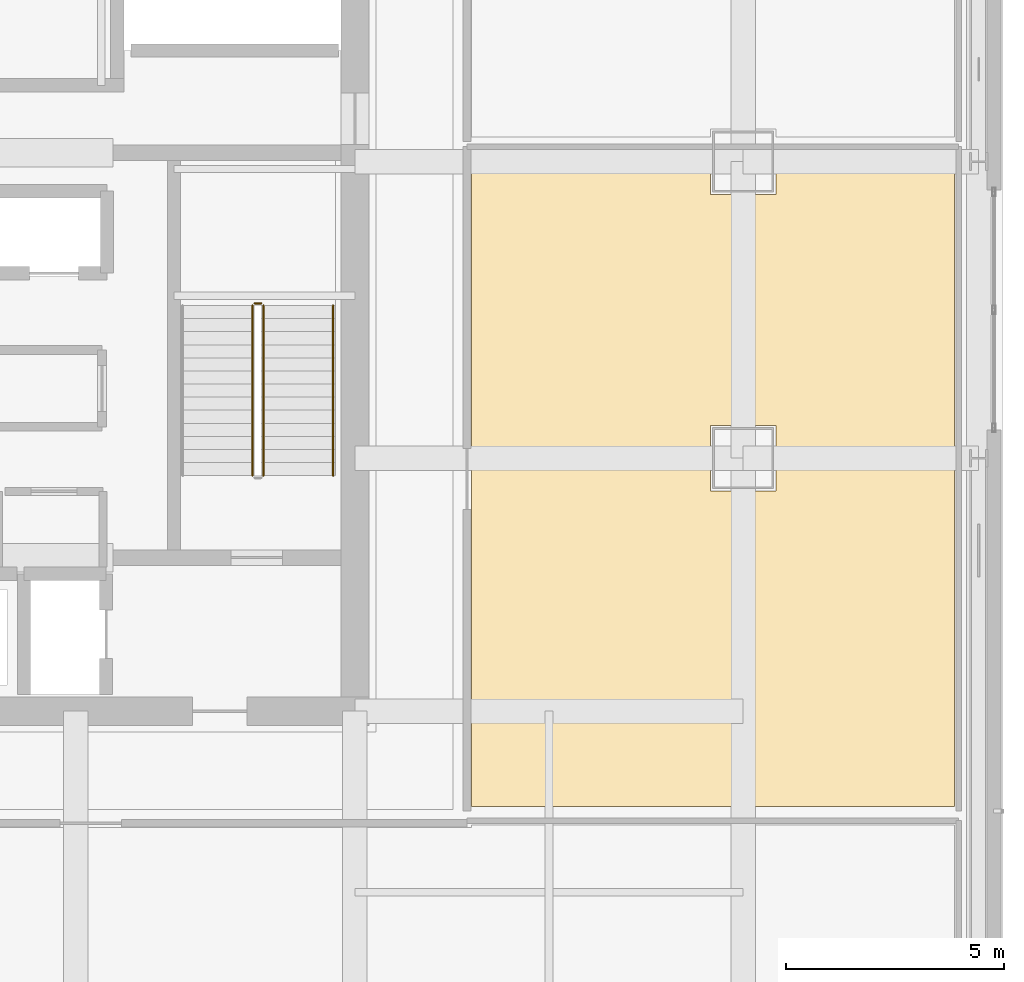
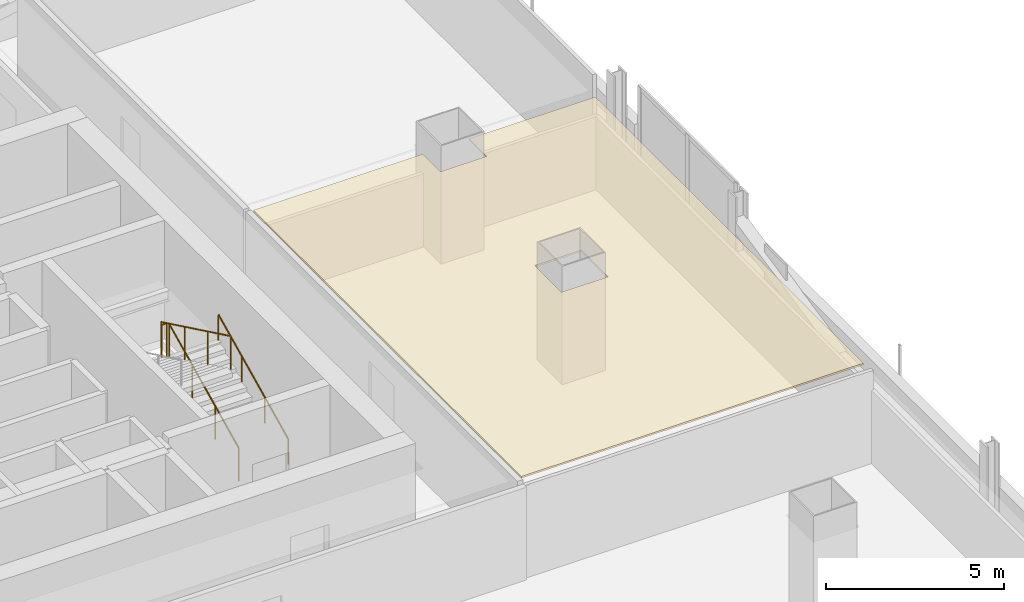
# One storey, part 24 of 27: 4 railings, 1 covering.
"""IFC4 building model written with IfcOpenShell, lengths in metres."""

from ifc_helpers import new_model, si_unit, direction, frame, origin, origin_2d, place, context, subcontext, project, spatial, polyline, circle, outline, extrude, material, layer, layer_set, type_object, element, save


model = new_model("IFC4")

# Units and contexts
model_context = context("Model", 3, precision=1e-05, world=origin(), true_north=direction((0.0, 1.0)))
body_context = subcontext(model_context, "Body", "Model", "MODEL_VIEW")
ifc_project = project(units=[si_unit("LENGTHUNIT", "METRE"), si_unit("AREAUNIT", "SQUARE_METRE"), si_unit("VOLUMEUNIT", "CUBIC_METRE"), si_unit("PLANEANGLEUNIT", "RADIAN"), si_unit("MASSUNIT", "GRAM", prefix="KILO")], contexts=[model_context])

# Site, building, storey
site_placement = place(None, origin())
site = spatial("IfcSite", under=ifc_project, at=site_placement, CompositionType="ELEMENT")
building_placement = place(site_placement, origin())
building = spatial("IfcBuilding", under=site, at=building_placement, Name="Punatoya Terracotta Tower", CompositionType="ELEMENT")
storey_placement = place(building_placement, frame((0.0, 0.0, 204.60009765625)))
storey = spatial("IfcBuildingStorey", under=building, at=storey_placement, Name="L48", CompositionType="ELEMENT", Elevation=204.60009765625)

# Covering
ifc_material_1 = material(Name="Acoustic Mineral Fibre Ceiling")
ifc_layer = layer(ifc_material_1, 0.06005859375)
ifc_layer_set = layer_set([ifc_layer], Name="Acoustic Mineral Fibre Ceiling")
covering_type = type_object("IfcCoveringType", Name="COV-CEIL-60", PredefinedType="CEILING", material=ifc_layer_set)
covering_placement = place(storey_placement, frame((0.0, 0.0, 3.159912109375)))
element("IfcCovering", 1, at=covering_placement, inside=storey, type_object=covering_type, Name="L48 Press Briefing Room Acoustic Ceiling", PredefinedType="CEILING", context=body_context, shape_type="SweptSolid", body=[
    extrude(outline(polyline([(19.85009765625, 3.639892578125), (19.85009765625, 2.64990234375), (18.35009765625, 2.64990234375), (18.35009765625, 3.639892578125), (12.8701171875, 3.639892578125), (12.8701171875, -11.389892578125), (23.93994140625, -11.389892578125), (23.93994140625, 3.639892578125), (19.85009765625, 3.639892578125)]), holes=[polyline([(18.35009765625, -4.14990234375), (18.35009765625, -2.64990234375), (19.85009765625, -2.64990234375), (19.85009765625, -4.14990234375), (18.35009765625, -4.14990234375)])]), origin(), (0.0, 0.0, 1.0), 0.06005859375),
])

# Railings
ifc_material_2 = material(Name="Steel S355", Category="steel")
railing_type_1 = type_object("IfcRailingType", Name="RLG-GRD-1150", PredefinedType="GUARDRAIL", material=ifc_material_2)
railing_1_placement = place(storey_placement, frame((8.10009765625, -3.800048828125, 0.14453125)))
element("IfcRailing", 2, at=railing_1_placement, inside=storey, type_object=railing_type_1, Name="L48 ST-2 stair guard 1", PredefinedType="GUARDRAIL", context=body_context, shape_type="SweptSolid", body=[
    extrude(circle(Radius=0.02392578125, at=origin_2d()), frame((0.0, 0.0, 1.1259765625), z_axis=(0.0, 0.900773802044, 0.434288564841), x_axis=(-1.0, 0.0, 0.0)), (0.0, 0.0, 1.0), 4.329833984375),
    extrude(circle(Radius=0.02099609375, at=origin_2d()), origin(), (0.0, 0.0, 1.0), 1.101806640625),
    extrude(circle(Radius=0.02099609375, at=origin_2d()), frame((0.0, 1.300048828125, 0.626708984375)), (0.0, 0.0, 1.0), 1.101806640625),
    extrude(circle(Radius=0.02099609375, at=origin_2d()), frame((0.0, 2.60009765625, 1.253662109375)), (0.0, 0.0, 1.0), 1.101806640625),
    extrude(circle(Radius=0.02099609375, at=origin_2d()), frame((0.0, 3.900146484375, 1.88037109375)), (0.0, 0.0, 1.0), 1.101806640625),
])
railing_2_placement = place(storey_placement, frame((8.050048828125, 0.14990234375, 2.02490234375)))
element("IfcRailing", 3, at=railing_2_placement, inside=storey, type_object=railing_type_1, Name="L48 ST-2 stair guard 2", PredefinedType="GUARDRAIL", context=body_context, shape_type="SweptSolid", body=[
    extrude(circle(Radius=0.02392578125, at=origin_2d()), frame((0.0, 0.0, 1.1259765625), z_axis=(-1.0, 0.0, 0.0), x_axis=(0.0, -1.0, 0.0)), (0.0, 0.0, 1.0), 0.150146484375),
    extrude(circle(Radius=0.02099609375, at=origin_2d()), origin(), (0.0, 0.0, 1.0), 1.101806640625),
    extrude(circle(Radius=0.02099609375, at=origin_2d()), frame((-0.150146484375, 0.0, 0.0)), (0.0, 0.0, 1.0), 1.101806640625),
])
railing_3_placement = place(storey_placement, frame((7.85009765625, 0.10009765625, 2.16943359375)))
element("IfcRailing", 4, at=railing_3_placement, inside=storey, type_object=railing_type_1, Name="L48 ST-2 stair guard 3", PredefinedType="GUARDRAIL", context=body_context, shape_type="SweptSolid", body=[
    extrude(circle(Radius=0.02392578125, at=origin_2d()), frame((0.0, 0.0, 1.1259765625), z_axis=(0.0, -0.900773802044, 0.434288564841), x_axis=(1.0, 0.0, 0.0)), (0.0, 0.0, 1.0), 4.329833984375),
    extrude(circle(Radius=0.02099609375, at=origin_2d()), origin(), (0.0, 0.0, 1.0), 1.101806640625),
    extrude(circle(Radius=0.02099609375, at=origin_2d()), frame((0.0, -1.300048828125, 0.626708984375)), (0.0, 0.0, 1.0), 1.101806640625),
    extrude(circle(Radius=0.02099609375, at=origin_2d()), frame((0.0, -2.60009765625, 1.253662109375)), (0.0, 0.0, 1.0), 1.101806640625),
    extrude(circle(Radius=0.02099609375, at=origin_2d()), frame((0.0, -3.900146484375, 1.88037109375)), (0.0, 0.0, 1.0), 1.101806640625),
])
railing_type_2 = type_object("IfcRailingType", Name="RLG-HND-900", PredefinedType="HANDRAIL", material=ifc_material_2)
railing_4_placement = place(storey_placement, frame((9.699951171875, -3.800048828125, 0.14453125)))
element("IfcRailing", 5, at=railing_4_placement, inside=storey, type_object=railing_type_2, Name="L48 ST-2 stair handrail 1", PredefinedType="HANDRAIL", context=body_context, shape_type="SweptSolid", body=[
    extrude(circle(Radius=0.02392578125, at=origin_2d()), frame((0.0, 0.0, 0.8759765625), z_axis=(0.0, 0.900773802044, 0.434288564841), x_axis=(-1.0, 0.0, 0.0)), (0.0, 0.0, 1.0), 4.329833984375),
    extrude(circle(Radius=0.02099609375, at=origin_2d()), origin(), (0.0, 0.0, 1.0), 0.851806640625),
    extrude(circle(Radius=0.02099609375, at=origin_2d()), frame((0.0, 1.300048828125, 0.626708984375)), (0.0, 0.0, 1.0), 0.851806640625),
    extrude(circle(Radius=0.02099609375, at=origin_2d()), frame((0.0, 2.60009765625, 1.253662109375)), (0.0, 0.0, 1.0), 0.851806640625),
    extrude(circle(Radius=0.02099609375, at=origin_2d()), frame((0.0, 3.900146484375, 1.88037109375)), (0.0, 0.0, 1.0), 0.851806640625),
])

save(model, "model.ifc")
